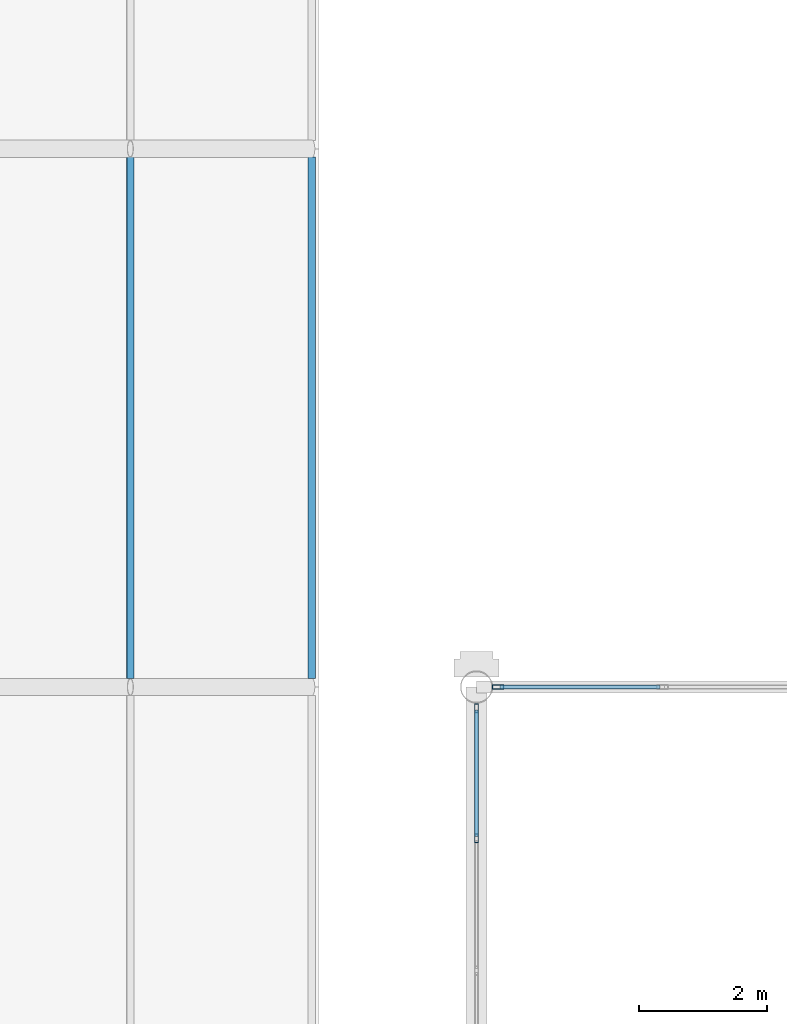
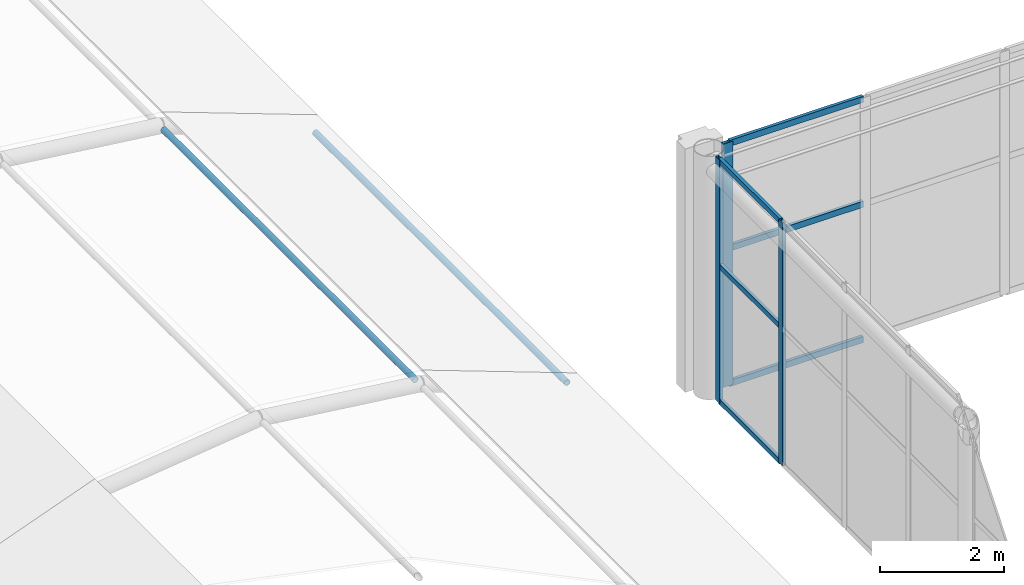
# One storey, part 75 of 167: 11 members, 2 elements without a shape of their own.
"""IFC4 building model written with IfcOpenShell, lengths in metres."""

from ifc_helpers import new_model, si_unit, direction, frame, origin, origin_2d, place, context, subcontext, project, spatial, hollow_rectangle, hollow_circle, extrude, material, material_profile, profile_set, type_object, element, aggregate, save


model = new_model("IFC4")

# Units and contexts
model_context = context("Model", 3, precision=1e-05, world=origin(), true_north=direction((0.0, 1.0)))
body_context = subcontext(model_context, "Body", "Model", "MODEL_VIEW")
ifc_project = project(units=[si_unit("LENGTHUNIT", "METRE"), si_unit("AREAUNIT", "SQUARE_METRE"), si_unit("VOLUMEUNIT", "CUBIC_METRE"), si_unit("PLANEANGLEUNIT", "RADIAN"), si_unit("MASSUNIT", "GRAM", prefix="KILO")], contexts=[model_context])

# Site, building, storey
site_placement = place(None, origin())
site = spatial("IfcSite", under=ifc_project, at=site_placement, CompositionType="ELEMENT")
building_placement = place(site_placement, origin())
building = spatial("IfcBuilding", under=site, at=building_placement, Name="Catenary Quay Ferry Terminal", CompositionType="ELEMENT")
storey_placement = place(building_placement, frame((0.0, 0.0, 6.0)))
storey = spatial("IfcBuildingStorey", under=building, at=storey_placement, Name="L01", CompositionType="ELEMENT", Elevation=6.0)

# Curtain wall, members
ifc_material_1 = material(Name="Aluminium and glass", Category="aluminium")
curtain_wall_type_1 = type_object("IfcCurtainWallType", Name="CWG", PredefinedType="NOTDEFINED", material=ifc_material_1)
curtain_wall_1_placement = place(storey_placement, origin())
curtain_wall_1 = element("IfcCurtainWall", 1, at=curtain_wall_1_placement, inside=storey, type_object=curtain_wall_type_1, Name="Gable departure hall curtain wall CW16", PredefinedType="NOTDEFINED")
ifc_material_2 = material(Name="Aluminium", Category="aluminium")
ifc_material_profile_1 = material_profile(ifc_material_2, hollow_rectangle(XDim=0.06005859375, YDim=0.139892578125, WallThickness=0.006103515625, at=origin_2d()), Name="MU2")
ifc_profile_set_1 = profile_set([ifc_material_profile_1], Name="Aluminium")
member_type_1 = type_object("IfcMemberType", Name="MU2", PredefinedType="MULLION", material=ifc_profile_set_1)
member_1_placement = place(storey_placement, frame((25.199951171875, 140.4375, 0.0), z_axis=(0.0, 0.0, 1.0), x_axis=(-1.0, 0.0, 0.0)))
member_1 = element("IfcMember", 2, at=member_1_placement, type_object=member_type_1, Name="CW16 mullion 16", PredefinedType="MULLION", context=body_context, shape_type="SweptSolid", body=[
    extrude(hollow_rectangle(XDim=0.06005859375, YDim=0.139892578125, WallThickness=0.006103515625, at=origin_2d()), origin(), (0.0, 0.0, 1.0), 4.800048828125),
])
member_2_placement = place(storey_placement, frame((25.199951171875, 142.469970703125, 0.0), z_axis=(0.0, 0.0, 1.0), x_axis=(-1.0, 0.0, 0.0)))
member_2 = element("IfcMember", 3, at=member_2_placement, type_object=member_type_1, Name="CW16 mullion 17", PredefinedType="MULLION", context=body_context, shape_type="SweptSolid", body=[
    extrude(hollow_rectangle(XDim=0.06005859375, YDim=0.139892578125, WallThickness=0.006103515625, at=origin_2d()), origin(), (0.0, 0.0, 1.0), 4.800048828125),
])

# Curtain wall, member
ifc_material_3 = material(Name="Aluminium and glass", Category="aluminium")
curtain_wall_type_2 = type_object("IfcCurtainWallType", Name="CWH", PredefinedType="NOTDEFINED", material=ifc_material_3)
curtain_wall_2_placement = place(storey_placement, origin())
curtain_wall_2 = element("IfcCurtainWall", 4, at=curtain_wall_2_placement, inside=storey, type_object=curtain_wall_type_2, Name="Hall curtain wall CW48", PredefinedType="NOTDEFINED")
ifc_material_4 = material(Name="Aluminium", Category="aluminium")
ifc_material_profile_2 = material_profile(ifc_material_4, hollow_rectangle(XDim=0.070068359375, YDim=0.179931640625, WallThickness=0.006103515625, at=origin_2d()), Name="MU3")
ifc_profile_set_2 = profile_set([ifc_material_profile_2], Name="Aluminium")
member_type_2 = type_object("IfcMemberType", Name="MU3", PredefinedType="MULLION", material=ifc_profile_set_2)
member_3_placement = place(storey_placement, frame((25.534912109375, 142.800048828125, 0.0), z_axis=(0.0, 0.0, 1.0), x_axis=(0.0, 1.0, 0.0)))
member_3 = element("IfcMember", 5, at=member_3_placement, type_object=member_type_2, Name="CW48 mullion 1", PredefinedType="MULLION", context=body_context, shape_type="SweptSolid", body=[
    extrude(hollow_rectangle(XDim=0.070068359375, YDim=0.179931640625, WallThickness=0.006103515625, at=origin_2d()), origin(), (0.0, 0.0, 1.0), 4.800048828125),
])

# Members
ifc_material_5 = material(Name="Steel S355", Category="steel")
ifc_material_profile_3 = material_profile(ifc_material_5, hollow_circle(Radius=0.05712890625, WallThickness=0.00634765625, at=origin_2d()), Name="CHS 114.3x6.3")
ifc_profile_set_3 = profile_set([ifc_material_profile_3], Name="Steel S355")
member_type_3 = type_object("IfcMemberType", Name="PU2 CHS 114.3x6.3", PredefinedType="PURLIN", material=ifc_profile_set_3)
for number, where, z_axis, x_axis, name in (
    (6, (19.797119140625, 142.929931640625, 2.031005859375), (0.0, 1.0, 0.0), (-1.0, 0.0, 0.0), "Purlin PU-FC-10-04"),
    (7, (22.62890625, 142.929931640625, 0.98388671875), (0.0, 1.0, 0.0), (-1.0, 0.0, 0.0), "Purlin PU-FC-10-05"),
):
    element("IfcMember", number, at=place(storey_placement, frame(where, z_axis=z_axis, x_axis=x_axis)), inside=storey, type_object=member_type_3, Name=name, PredefinedType="PURLIN", context=body_context, shape_type="SweptSolid", body=[
        extrude(hollow_circle(Radius=0.05712890625, WallThickness=0.00634765625, at=origin_2d()), origin(), (0.0, 0.0, 1.0), 8.14013671875),
    ])

# Member
ifc_material_6 = material(Name="Aluminium", Category="aluminium")
ifc_material_profile_4 = material_profile(ifc_material_6, hollow_rectangle(XDim=0.06005859375, YDim=0.10009765625, WallThickness=0.0048828125, at=origin_2d()), Name="TR2")
ifc_profile_set_4 = profile_set([ifc_material_profile_4], Name="Aluminium")
member_type_4 = type_object("IfcMemberType", Name="TR2", PredefinedType="USERDEFINED", material=ifc_profile_set_4)
member_4_placement = place(storey_placement, frame((25.199951171875, 140.467529296875, 0.030029296875), z_axis=(0.0, 1.0, 0.0), x_axis=(-1.0, 0.0, 0.0)))
member_4 = element("IfcMember", 8, at=member_4_placement, type_object=member_type_4, Name="CW16 transom 16.1", ObjectType="TRANSOM", PredefinedType="USERDEFINED", context=body_context, shape_type="SweptSolid", body=[
    extrude(hollow_rectangle(XDim=0.06005859375, YDim=0.10009765625, WallThickness=0.0048828125, at=origin_2d()), origin(), (0.0, 0.0, 1.0), 1.972412109375),
])

member_5_placement = place(storey_placement, frame((25.199951171875, 140.467529296875, 2.699951171875), z_axis=(0.0, 1.0, 0.0), x_axis=(-1.0, 0.0, 0.0)))
member_5 = element("IfcMember", 9, at=member_5_placement, type_object=member_type_4, Name="CW16 transom 16.2", ObjectType="TRANSOM", PredefinedType="USERDEFINED", context=body_context, shape_type="SweptSolid", body=[
    extrude(hollow_rectangle(XDim=0.06005859375, YDim=0.10009765625, WallThickness=0.0048828125, at=origin_2d()), origin(), (0.0, 0.0, 1.0), 1.972412109375),
])

member_6_placement = place(storey_placement, frame((25.199951171875, 140.467529296875, 4.77001953125), z_axis=(0.0, 1.0, 0.0), x_axis=(-1.0, 0.0, 0.0)))
member_6 = element("IfcMember", 10, at=member_6_placement, type_object=member_type_4, Name="CW16 transom 16.3", ObjectType="TRANSOM", PredefinedType="USERDEFINED", context=body_context, shape_type="SweptSolid", body=[
    extrude(hollow_rectangle(XDim=0.06005859375, YDim=0.10009765625, WallThickness=0.0048828125, at=origin_2d()), origin(), (0.0, 0.0, 1.0), 1.972412109375),
])

aggregate(curtain_wall_1, [member_1, member_2, member_4, member_5, member_6])

ifc_material_7 = material(Name="Aluminium", Category="aluminium")
ifc_material_profile_5 = material_profile(ifc_material_7, hollow_rectangle(XDim=0.06005859375, YDim=0.1201171875, WallThickness=0.0048828125, at=origin_2d()), Name="TR3")
ifc_profile_set_5 = profile_set([ifc_material_profile_5], Name="Aluminium")
member_type_5 = type_object("IfcMemberType", Name="TR3", PredefinedType="USERDEFINED", material=ifc_profile_set_5)
member_7_placement = place(storey_placement, frame((25.570068359375, 142.800048828125, 0.030029296875), z_axis=(1.0, 0.0, 0.0), x_axis=(0.0, 1.0, 0.0)))
member_7 = element("IfcMember", 11, at=member_7_placement, type_object=member_type_5, Name="CW48 transom 1.1", ObjectType="TRANSOM", PredefinedType="USERDEFINED", context=body_context, shape_type="SweptSolid", body=[
    extrude(hollow_rectangle(XDim=0.06005859375, YDim=0.1201171875, WallThickness=0.0048828125, at=origin_2d()), origin(), (0.0, 0.0, 1.0), 2.494873046875),
])

member_8_placement = place(storey_placement, frame((25.570068359375, 142.800048828125, 2.699951171875), z_axis=(1.0, 0.0, 0.0), x_axis=(0.0, 1.0, 0.0)))
member_8 = element("IfcMember", 12, at=member_8_placement, type_object=member_type_5, Name="CW48 transom 1.2", ObjectType="TRANSOM", PredefinedType="USERDEFINED", context=body_context, shape_type="SweptSolid", body=[
    extrude(hollow_rectangle(XDim=0.06005859375, YDim=0.1201171875, WallThickness=0.0048828125, at=origin_2d()), origin(), (0.0, 0.0, 1.0), 2.494873046875),
])

member_9_placement = place(storey_placement, frame((25.570068359375, 142.800048828125, 4.77001953125), z_axis=(1.0, 0.0, 0.0), x_axis=(0.0, 1.0, 0.0)))
member_9 = element("IfcMember", 13, at=member_9_placement, type_object=member_type_5, Name="CW48 transom 1.3", ObjectType="TRANSOM", PredefinedType="USERDEFINED", context=body_context, shape_type="SweptSolid", body=[
    extrude(hollow_rectangle(XDim=0.06005859375, YDim=0.1201171875, WallThickness=0.0048828125, at=origin_2d()), origin(), (0.0, 0.0, 1.0), 2.494873046875),
])

aggregate(curtain_wall_2, [member_3, member_7, member_8, member_9])

save(model, "model.ifc")
